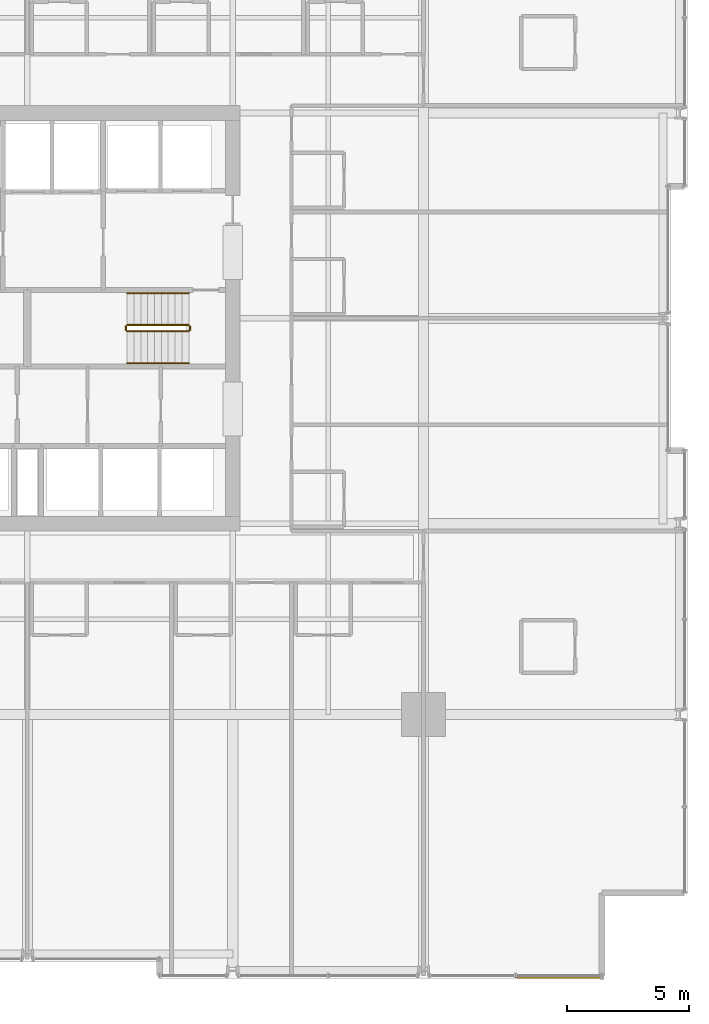
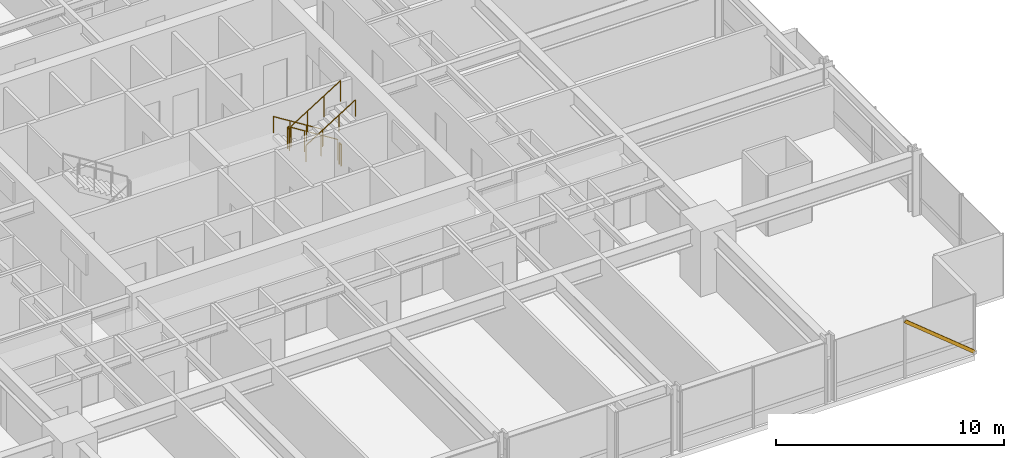
# One storey, part 38 of 39: 6 railings, 1 shading device.
"""IFC4 building model written with IfcOpenShell, lengths in metres."""

from ifc_helpers import new_model, si_unit, direction, frame, origin, origin_2d, place, context, subcontext, project, spatial, hollow_rectangle, circle, extrude, material, material_profile, profile_set, type_object, element, save


model = new_model("IFC4")

# Units and contexts
model_context = context("Model", 3, precision=1e-05, world=origin(), true_north=direction((0.0, 1.0)))
body_context = subcontext(model_context, "Body", "Model", "MODEL_VIEW")
ifc_project = project(units=[si_unit("LENGTHUNIT", "METRE"), si_unit("AREAUNIT", "SQUARE_METRE"), si_unit("VOLUMEUNIT", "CUBIC_METRE"), si_unit("PLANEANGLEUNIT", "RADIAN"), si_unit("MASSUNIT", "GRAM", prefix="KILO")], contexts=[model_context])

# Site, building, storey
site_placement = place(None, origin())
site = spatial("IfcSite", under=ifc_project, at=site_placement, CompositionType="ELEMENT")
building_placement = place(site_placement, origin())
building = spatial("IfcBuilding", under=site, at=building_placement, Name="Drelvath Grand Hotel", CompositionType="ELEMENT")
storey_placement = place(building_placement, frame((0.0, 0.0, 40.199951171875)))
storey = spatial("IfcBuildingStorey", under=building, at=storey_placement, Name="L08", CompositionType="ELEMENT", Elevation=40.199951171875)

# Railings
ifc_material_1 = material(Name="Painted Steel S275", Category="steel")
railing_type_1 = type_object("IfcRailingType", Name="Core Stair Wall Handrail 900", PredefinedType="HANDRAIL", material=ifc_material_1)
railing_1_placement = place(storey_placement, frame((6.60009765625, 28.030029296875, 0.175048828125)))
element("IfcRailing", 1, at=railing_1_placement, inside=storey, type_object=railing_type_1, Name="L08 ST-2 stair handrail 1", PredefinedType="HANDRAIL", context=body_context, shape_type="SweptSolid", body=[
    extrude(circle(Radius=0.02392578125, at=origin_2d()), frame((0.0, 0.0, 0.8759765625), z_axis=(-0.848007534815, 0.0, 0.529984170421), x_axis=(0.0, -1.0, 0.0)), (0.0, 0.0, 1.0), 2.9716796875),
    extrude(circle(Radius=0.02099609375, at=origin_2d()), origin(), (0.0, 0.0, 1.0), 0.851806640625),
    extrude(circle(Radius=0.02099609375, at=origin_2d()), frame((-0.840087890625, 0.0, 0.52490234375)), (0.0, 0.0, 1.0), 0.851806640625),
    extrude(circle(Radius=0.02099609375, at=origin_2d()), frame((-1.679931640625, 0.0, 1.050048828125)), (0.0, 0.0, 1.0), 0.851806640625),
    extrude(circle(Radius=0.02099609375, at=origin_2d()), frame((-2.52001953125, 0.0, 1.574951171875)), (0.0, 0.0, 1.0), 0.851806640625),
])
railing_2_placement = place(storey_placement, frame((4.080078125, 25.169921875, 1.925048828125)))
element("IfcRailing", 2, at=railing_2_placement, inside=storey, type_object=railing_type_1, Name="L08 ST-2 stair handrail 2", PredefinedType="HANDRAIL", context=body_context, shape_type="SweptSolid", body=[
    extrude(circle(Radius=0.02392578125, at=origin_2d()), frame((0.0, 0.0, 0.8759765625), z_axis=(0.848007534815, 0.0, 0.529984170421), x_axis=(0.0, 1.0, 0.0)), (0.0, 0.0, 1.0), 2.9716796875),
    extrude(circle(Radius=0.02099609375, at=origin_2d()), origin(), (0.0, 0.0, 1.0), 0.851806640625),
    extrude(circle(Radius=0.02099609375, at=origin_2d()), frame((0.840087890625, 0.0, 0.52490234375)), (0.0, 0.0, 1.0), 0.851806640625),
    extrude(circle(Radius=0.02099609375, at=origin_2d()), frame((1.679931640625, 0.0, 1.050048828125)), (0.0, 0.0, 1.0), 0.851806640625),
    extrude(circle(Radius=0.02099609375, at=origin_2d()), frame((2.52001953125, 0.0, 1.574951171875)), (0.0, 0.0, 1.0), 0.851806640625),
])
railing_type_2 = type_object("IfcRailingType", Name="Core Stair Well Guardrail 1100", PredefinedType="GUARDRAIL", material=ifc_material_1)
railing_3_placement = place(storey_placement, frame((6.60009765625, 26.72998046875, 0.175048828125)))
element("IfcRailing", 3, at=railing_3_placement, inside=storey, type_object=railing_type_2, Name="L08 ST-2 stair guard 1", PredefinedType="GUARDRAIL", context=body_context, shape_type="SweptSolid", body=[
    extrude(circle(Radius=0.02392578125, at=origin_2d()), frame((0.0, 0.0, 1.1259765625), z_axis=(-0.848007534815, 0.0, 0.529984170421), x_axis=(0.0, -1.0, 0.0)), (0.0, 0.0, 1.0), 2.9716796875),
    extrude(circle(Radius=0.02099609375, at=origin_2d()), origin(), (0.0, 0.0, 1.0), 1.101806640625),
    extrude(circle(Radius=0.02099609375, at=origin_2d()), frame((-0.840087890625, 0.0, 0.52490234375)), (0.0, 0.0, 1.0), 1.101806640625),
    extrude(circle(Radius=0.02099609375, at=origin_2d()), frame((-1.679931640625, 0.0, 1.050048828125)), (0.0, 0.0, 1.0), 1.101806640625),
    extrude(circle(Radius=0.02099609375, at=origin_2d()), frame((-2.52001953125, 0.0, 1.574951171875)), (0.0, 0.0, 1.0), 1.101806640625),
])
railing_4_placement = place(storey_placement, frame((4.030029296875, 26.679931640625, 1.75)))
element("IfcRailing", 4, at=railing_4_placement, inside=storey, type_object=railing_type_2, Name="L08 ST-2 stair guard 2", PredefinedType="GUARDRAIL", context=body_context, shape_type="SweptSolid", body=[
    extrude(circle(Radius=0.02392578125, at=origin_2d()), frame((0.0, 0.0, 1.1259765625), z_axis=(0.0, -1.0, 0.0), x_axis=(1.0, 0.0, 0.0)), (0.0, 0.0, 1.0), 0.159912109375),
    extrude(circle(Radius=0.02099609375, at=origin_2d()), origin(), (0.0, 0.0, 1.0), 1.101806640625),
    extrude(circle(Radius=0.02099609375, at=origin_2d()), frame((0.0, -0.159912109375, 0.0)), (0.0, 0.0, 1.0), 1.101806640625),
])
railing_5_placement = place(storey_placement, frame((4.080078125, 26.469970703125, 1.925048828125)))
element("IfcRailing", 5, at=railing_5_placement, inside=storey, type_object=railing_type_2, Name="L08 ST-2 stair guard 3", PredefinedType="GUARDRAIL", context=body_context, shape_type="SweptSolid", body=[
    extrude(circle(Radius=0.02392578125, at=origin_2d()), frame((0.0, 0.0, 1.1259765625), z_axis=(0.848007534815, 0.0, 0.529984170421), x_axis=(0.0, 1.0, 0.0)), (0.0, 0.0, 1.0), 2.9716796875),
    extrude(circle(Radius=0.02099609375, at=origin_2d()), origin(), (0.0, 0.0, 1.0), 1.101806640625),
    extrude(circle(Radius=0.02099609375, at=origin_2d()), frame((0.840087890625, 0.0, 0.52490234375)), (0.0, 0.0, 1.0), 1.101806640625),
    extrude(circle(Radius=0.02099609375, at=origin_2d()), frame((1.679931640625, 0.0, 1.050048828125)), (0.0, 0.0, 1.0), 1.101806640625),
    extrude(circle(Radius=0.02099609375, at=origin_2d()), frame((2.52001953125, 0.0, 1.574951171875)), (0.0, 0.0, 1.0), 1.101806640625),
])
railing_6_placement = place(storey_placement, frame((6.64990234375, 26.679931640625, 0.0)))
element("IfcRailing", 6, at=railing_6_placement, inside=storey, type_object=railing_type_2, Name="L08 ST-2 stair guard 4", PredefinedType="GUARDRAIL", context=body_context, shape_type="SweptSolid", body=[
    extrude(circle(Radius=0.02392578125, at=origin_2d()), frame((0.0, 0.0, 1.1259765625), z_axis=(0.0, -1.0, 0.0), x_axis=(1.0, 0.0, 0.0)), (0.0, 0.0, 1.0), 0.159912109375),
    extrude(circle(Radius=0.02099609375, at=origin_2d()), origin(), (0.0, 0.0, 1.0), 1.101806640625),
    extrude(circle(Radius=0.02099609375, at=origin_2d()), frame((0.0, -0.159912109375, 0.0)), (0.0, 0.0, 1.0), 1.101806640625),
])

# Shading device
ifc_material_2 = material(Name="Warm Bronze Anodised Aluminium", Category="aluminium")
ifc_material_profile = material_profile(ifc_material_2, hollow_rectangle(XDim=0.06494140625, YDim=0.159912109375, WallThickness=0.00390625, at=origin_2d()), Name="HSS160X65X4")
ifc_profile_set = profile_set([ifc_material_profile], Name="Warm Bronze Anodised Aluminium")
shading_device_type = type_object("IfcShadingDeviceType", Name="Diagonal Solar Fin Warm Bronze Anodised HSS160X65X4", PredefinedType="USERDEFINED", material=ifc_profile_set)
shading_device_placement = place(storey_placement, frame((23.5, 0.0400390625, 0.179931640625), z_axis=(-0.774782809762, 0.0, 0.632227488882), x_axis=(0.0, -1.0, 0.0)))
element("IfcShadingDevice", 7, at=shading_device_placement, inside=storey, type_object=shading_device_type, Name="L08 Diagonal Anodised Fin CW02-L08-SE3", ObjectType="FIN", PredefinedType="USERDEFINED", context=body_context, shape_type="SweptSolid", body=[
    extrude(hollow_rectangle(XDim=0.06494140625, YDim=0.159912109375, WallThickness=0.00390625, at=origin_2d()), origin(), (0.0, 0.0, 1.0), 4.555419921875),
])

save(model, "model.ifc")
